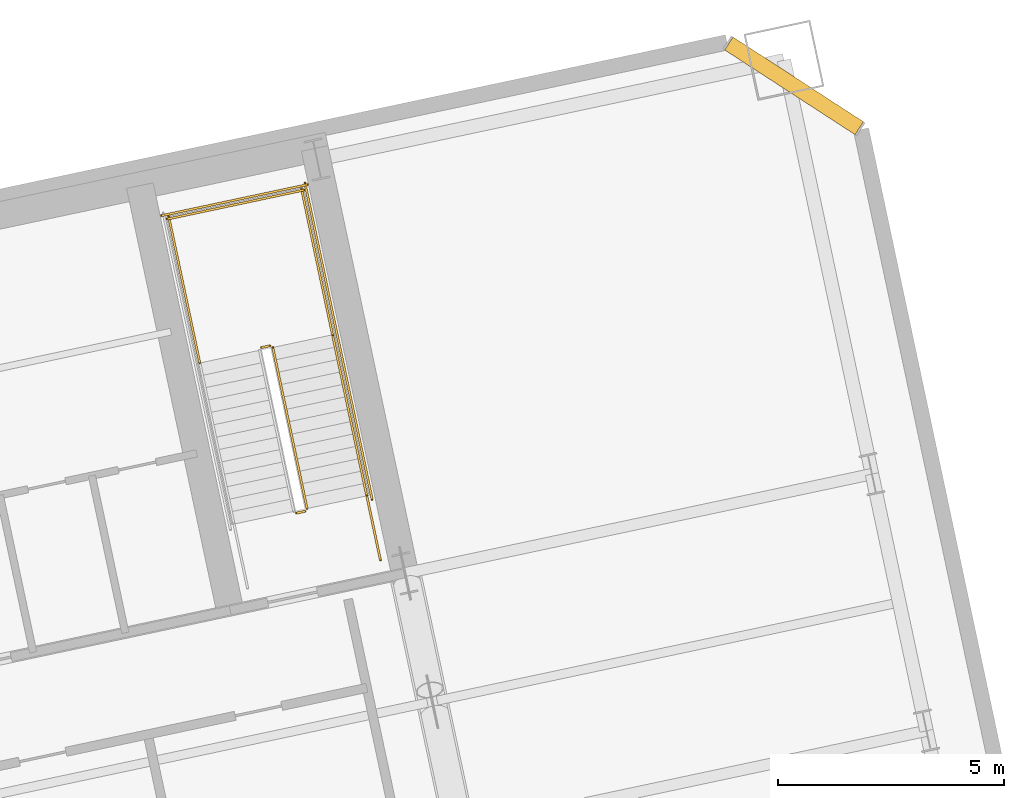
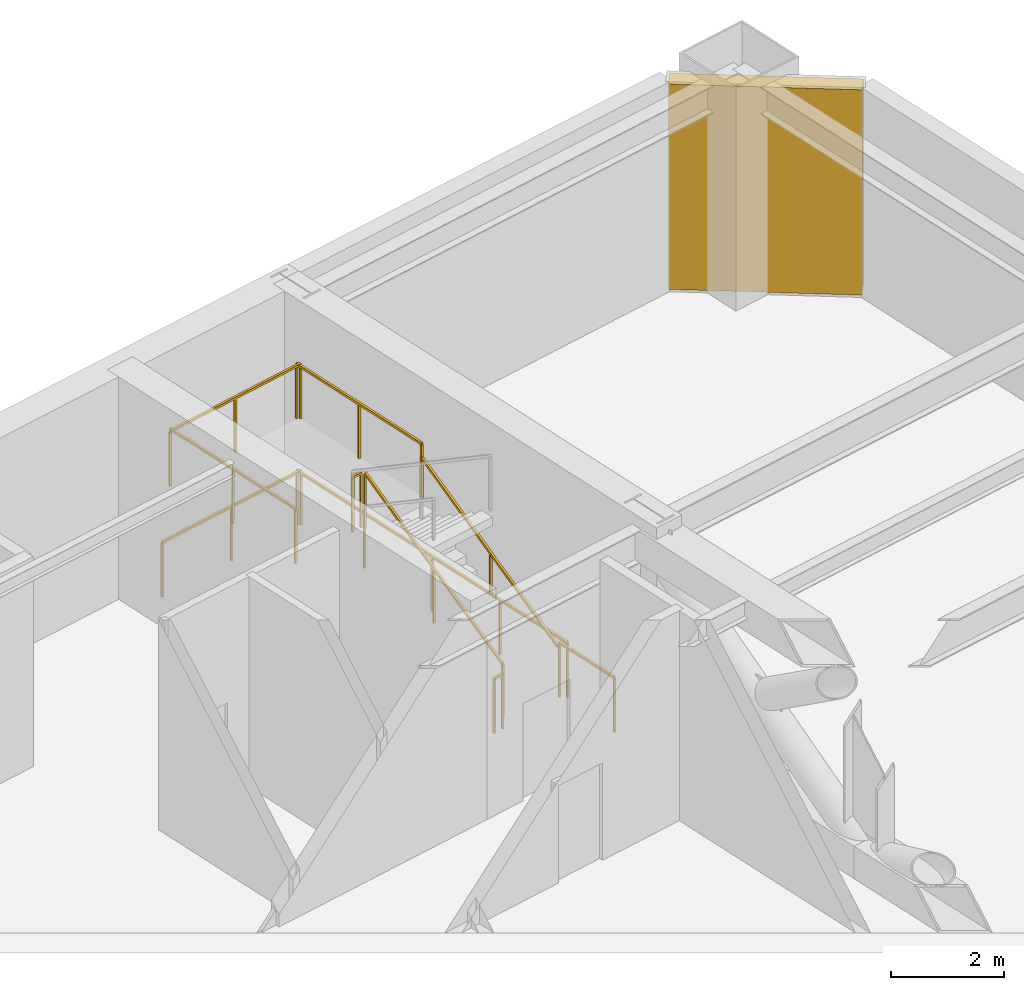
# One storey, part 17 of 17: 10 railings, 1 shading device.
"""IFC4 building model written with IfcOpenShell, lengths in metres."""

from ifc_helpers import new_model, si_unit, direction, frame, origin, origin_2d, place, context, subcontext, project, spatial, rectangle, extrude, material, layer, layer_set, type_object, element, save


model = new_model("IFC4")

# Units and contexts
model_context = context("Model", 3, precision=1e-05, world=origin(), true_north=direction((0.0, 1.0)))
body_context = subcontext(model_context, "Body", "Model", "MODEL_VIEW")
ifc_project = project(units=[si_unit("LENGTHUNIT", "METRE"), si_unit("AREAUNIT", "SQUARE_METRE"), si_unit("VOLUMEUNIT", "CUBIC_METRE"), si_unit("PLANEANGLEUNIT", "RADIAN"), si_unit("MASSUNIT", "GRAM", prefix="KILO")], contexts=[model_context])

# Site, building, storey
site_placement = place(None, origin())
site = spatial("IfcSite", under=ifc_project, at=site_placement, CompositionType="ELEMENT")
building_placement = place(site_placement, origin())
building = spatial("IfcBuilding", under=site, at=building_placement, Name="Haevon Station Towers", CompositionType="ELEMENT")
storey_placement = place(building_placement, frame((0.0, 0.0, 81.89990234375)))
storey = spatial("IfcBuildingStorey", under=building, at=storey_placement, Name="L21", CompositionType="ELEMENT", Elevation=81.89990234375)

# Railings
ifc_material_1 = material(Name="Steel S355", Category="steel")
railing_type_1 = type_object("IfcRailingType", Name="GRD-STR1200", PredefinedType="GUARDRAIL", material=ifc_material_1)
railing_1_placement = place(storey_placement, frame((117.128662109375, 43.23974609375, 0.171630859375)))
element("IfcRailing", 1, at=railing_1_placement, inside=storey, type_object=railing_type_1, Name="L21 ST4 Stair Guard 1", PredefinedType="GUARDRAIL", context=body_context, shape_type="SweptSolid", body=[
    extrude(rectangle(XDim=0.048095703125, YDim=0.048095703125, at=origin_2d()), frame((0.0, 0.0, 1.17578125), z_axis=(-0.177324344861, 0.834225240467, 0.522134393512), x_axis=(-0.978146576304, -0.207916510322, 0.0)), (0.0, 0.0, 1.0), 4.26806640625),
    extrude(rectangle(XDim=0.0419921875, YDim=0.0419921875, at=origin_2d()), origin(), (0.0, 0.0, 1.0), 1.15185546875),
    extrude(rectangle(XDim=0.0419921875, YDim=0.0419921875, at=origin_2d()), frame((-0.37841796875, 1.7802734375, 1.1142578125)), (0.0, 0.0, 1.0), 1.15185546875),
    extrude(rectangle(XDim=0.0419921875, YDim=0.0419921875, at=origin_2d()), frame((-0.7568359375, 3.560546875, 2.228515625)), (0.0, 0.0, 1.0), 1.15185546875),
])
railing_2_placement = place(storey_placement, frame((116.3125, 46.838623046875, 2.400146484375)))
element("IfcRailing", 2, at=railing_2_placement, inside=storey, type_object=railing_type_1, Name="L21 ST4 Stair Guard 2", PredefinedType="GUARDRAIL", context=body_context, shape_type="SweptSolid", body=[
    extrude(rectangle(XDim=0.048095703125, YDim=0.048095703125, at=origin_2d()), frame((0.0, 0.0, 1.17578125), z_axis=(-0.978211583308, -0.207610448392, 0.0), x_axis=(0.207610448392, -0.978211583308, 0.0)), (0.0, 0.0, 1.0), 0.199951171875),
    extrude(rectangle(XDim=0.0419921875, YDim=0.0419921875, at=origin_2d()), origin(), (0.0, 0.0, 1.0), 1.15185546875),
    extrude(rectangle(XDim=0.0419921875, YDim=0.0419921875, at=origin_2d()), frame((-0.195556640625, -0.04150390625, 0.0)), (0.0, 0.0, 1.0), 1.15185546875),
])
for number, where, name in (
    (3, (117.6923828125, 47.080810546875, 2.400146484375), "L21 ST4 Stair Guard 3"),
    (4, (114.7578125, 46.45703125, 2.400146484375), "L21 ST4 Stair Guard 4"),
):
    element("IfcRailing", number, at=place(storey_placement, frame(where)), inside=storey, type_object=railing_type_1, Name=name, PredefinedType="GUARDRAIL", context=body_context, shape_type="SweptSolid", body=[
        extrude(rectangle(XDim=0.048095703125, YDim=0.048095703125, at=origin_2d()), frame((0.0, 0.0, 1.17578125), z_axis=(-0.207916974835, 0.978146477566, 0.0), x_axis=(-0.978146477566, -0.207916974835, 0.0)), (0.0, 0.0, 1.0), 3.31005859375),
        extrude(rectangle(XDim=0.0419921875, YDim=0.0419921875, at=origin_2d()), origin(), (0.0, 0.0, 1.0), 1.15185546875),
        extrude(rectangle(XDim=0.0419921875, YDim=0.0419921875, at=origin_2d()), frame((-0.34423828125, 1.618896484375, 0.0)), (0.0, 0.0, 1.0), 1.15185546875),
        extrude(rectangle(XDim=0.0419921875, YDim=0.0419921875, at=origin_2d()), frame((-0.688232421875, 3.23779296875, 0.0)), (0.0, 0.0, 1.0), 1.15185546875),
    ])
railing_3_placement = place(storey_placement, frame((117.0634765625, 50.280029296875, 2.400146484375)))
element("IfcRailing", 5, at=railing_3_placement, inside=storey, type_object=railing_type_1, Name="L21 ST4 Stair Guard 5", PredefinedType="GUARDRAIL", context=body_context, shape_type="SweptSolid", body=[
    extrude(rectangle(XDim=0.048095703125, YDim=0.048095703125, at=origin_2d()), frame((0.0, 0.0, 1.17578125), z_axis=(-0.978146839882, -0.207915270313, 0.0), x_axis=(0.207915270313, -0.978146839882, 0.0)), (0.0, 0.0, 1.0), 3.099853515625),
    extrude(rectangle(XDim=0.0419921875, YDim=0.0419921875, at=origin_2d()), origin(), (0.0, 0.0, 1.0), 1.15185546875),
    extrude(rectangle(XDim=0.0419921875, YDim=0.0419921875, at=origin_2d()), frame((-1.51611328125, -0.322265625, 0.0)), (0.0, 0.0, 1.0), 1.15185546875),
    extrude(rectangle(XDim=0.0419921875, YDim=0.0419921875, at=origin_2d()), frame((-3.0322265625, -0.64453125, 0.0)), (0.0, 0.0, 1.0), 1.15185546875),
])
railing_4_placement = place(storey_placement, frame((117.090087890625, 43.180419921875, 0.0)))
element("IfcRailing", 6, at=railing_4_placement, inside=storey, type_object=railing_type_1, Name="L21 ST4 Stair Guard 7", PredefinedType="GUARDRAIL", context=body_context, shape_type="SweptSolid", body=[
    extrude(rectangle(XDim=0.048095703125, YDim=0.048095703125, at=origin_2d()), frame((0.0, 0.0, 1.17578125), z_axis=(-0.978211583308, -0.207610448392, 0.0), x_axis=(0.207610448392, -0.978211583308, 0.0)), (0.0, 0.0, 1.0), 0.199951171875),
    extrude(rectangle(XDim=0.0419921875, YDim=0.0419921875, at=origin_2d()), origin(), (0.0, 0.0, 1.0), 1.15185546875),
    extrude(rectangle(XDim=0.0419921875, YDim=0.0419921875, at=origin_2d()), frame((-0.195556640625, -0.04150390625, 0.0)), (0.0, 0.0, 1.0), 1.15185546875),
])
railing_5_placement = place(storey_placement, frame((118.75048828125, 42.10205078125, 0.0)))
element("IfcRailing", 7, at=railing_5_placement, inside=storey, type_object=railing_type_1, Name="L21 ST4 Stair Guard 8", PredefinedType="GUARDRAIL", context=body_context, shape_type="SweptSolid", body=[
    extrude(rectangle(XDim=0.048095703125, YDim=0.048095703125, at=origin_2d()), frame((0.0, 0.0, 1.17578125), z_axis=(-0.207919161079, 0.978146012851, 0.0), x_axis=(-0.978146012851, -0.207919161079, 0.0)), (0.0, 0.0, 1.0), 1.4501953125),
    extrude(rectangle(XDim=0.0419921875, YDim=0.0419921875, at=origin_2d()), origin(), (0.0, 0.0, 1.0), 1.15185546875),
    extrude(rectangle(XDim=0.0419921875, YDim=0.0419921875, at=origin_2d()), frame((-0.301513671875, 1.41845703125, 0.0)), (0.0, 0.0, 1.0), 1.15185546875),
])
railing_6_placement = place(storey_placement, frame((118.567626953125, 43.443359375, 0.0)))
element("IfcRailing", 8, at=railing_6_placement, inside=storey, type_object=railing_type_1, Name="L21 ST4 Stair Guard 10", PredefinedType="GUARDRAIL", context=body_context, shape_type="SweptSolid", body=[
    extrude(rectangle(XDim=0.048095703125, YDim=0.048095703125, at=origin_2d()), frame((0.0, 0.0, 1.17578125), z_axis=(-0.207908168386, 0.978148349443, 0.0), x_axis=(-0.978148349443, -0.207908168386, 0.0)), (0.0, 0.0, 1.0), 7.150146484375),
    extrude(rectangle(XDim=0.0419921875, YDim=0.0419921875, at=origin_2d()), origin(), (0.0, 0.0, 1.0), 1.15185546875),
    extrude(rectangle(XDim=0.0419921875, YDim=0.0419921875, at=origin_2d()), frame((-0.37158203125, 1.74853515625, 0.0)), (0.0, 0.0, 1.0), 1.15185546875),
    extrude(rectangle(XDim=0.0419921875, YDim=0.0419921875, at=origin_2d()), frame((-0.7431640625, 3.4970703125, 0.0)), (0.0, 0.0, 1.0), 1.15185546875),
    extrude(rectangle(XDim=0.0419921875, YDim=0.0419921875, at=origin_2d()), frame((-1.114990234375, 5.245361328125, 0.0)), (0.0, 0.0, 1.0), 1.15185546875),
    extrude(rectangle(XDim=0.0419921875, YDim=0.0419921875, at=origin_2d()), frame((-1.486572265625, 6.993896484375, 0.0)), (0.0, 0.0, 1.0), 1.15185546875),
])
railing_7_placement = place(storey_placement, frame((117.140380859375, 50.398681640625, 0.0)))
element("IfcRailing", 9, at=railing_7_placement, inside=storey, type_object=railing_type_1, Name="L21 ST4 Stair Guard 12", PredefinedType="GUARDRAIL", context=body_context, shape_type="SweptSolid", body=[
    extrude(rectangle(XDim=0.048095703125, YDim=0.048095703125, at=origin_2d()), frame((0.0, 0.0, 1.17578125), z_axis=(-0.978135717418, -0.207967589567, 0.0), x_axis=(0.207967589567, -0.978135717418, 0.0)), (0.0, 0.0, 1.0), 3.300048828125),
    extrude(rectangle(XDim=0.0419921875, YDim=0.0419921875, at=origin_2d()), origin(), (0.0, 0.0, 1.0), 1.15185546875),
    extrude(rectangle(XDim=0.0419921875, YDim=0.0419921875, at=origin_2d()), frame((-1.61376953125, -0.34326171875, 0.0)), (0.0, 0.0, 1.0), 1.15185546875),
    extrude(rectangle(XDim=0.0419921875, YDim=0.0419921875, at=origin_2d()), frame((-3.227783203125, -0.686279296875, 0.0)), (0.0, 0.0, 1.0), 1.15185546875),
])
railing_type_2 = type_object("IfcRailingType", Name="HND-STR900", PredefinedType="HANDRAIL", material=ifc_material_1)
railing_8_placement = place(storey_placement, frame((118.448974609375, 43.5205078125, 0.171630859375)))
element("IfcRailing", 10, at=railing_8_placement, inside=storey, type_object=railing_type_2, Name="L21 ST4 Stair Handrail 1", PredefinedType="HANDRAIL", context=body_context, shape_type="SweptSolid", body=[
    extrude(rectangle(XDim=0.048095703125, YDim=0.048095703125, at=origin_2d()), frame((0.0, 0.0, 0.8759765625), z_axis=(-0.17727740081, 0.834216307201, 0.522164606194), x_axis=(-0.978157316656, -0.207865975747, 0.0)), (0.0, 0.0, 1.0), 4.267822265625),
    extrude(rectangle(XDim=0.0419921875, YDim=0.0419921875, at=origin_2d()), origin(), (0.0, 0.0, 1.0), 0.851806640625),
    extrude(rectangle(XDim=0.0419921875, YDim=0.0419921875, at=origin_2d()), frame((-0.37841796875, 1.7802734375, 1.1142578125)), (0.0, 0.0, 1.0), 0.851806640625),
    extrude(rectangle(XDim=0.0419921875, YDim=0.0419921875, at=origin_2d()), frame((-0.756591796875, 3.560302734375, 2.228515625)), (0.0, 0.0, 1.0), 0.851806640625),
])

# Shading device
ifc_material_2 = material(Name="Anodised aluminium 6063-T6", Category="aluminium")
ifc_layer = layer(ifc_material_2, 0.139892578125)
ifc_layer_set = layer_set([ifc_layer], Name="Anodised aluminium 6063-T6")
shading_device_type = type_object("IfcShadingDeviceType", Name="SHD-WIND-BAFFLE", PredefinedType="SHUTTER", material=ifc_layer_set)
shading_device_placement = place(storey_placement, frame((127.8916015625, 52.58154296875, 0.05029296875), z_axis=(0.0, 0.0, 1.0), x_axis=(0.838670519647, -0.544639109388, 0.0)))
element("IfcShadingDevice", 11, at=shading_device_placement, inside=storey, type_object=shading_device_type, Name="Tower 2 L21 Wind-Corner Aerofoil Baffle NEC", PredefinedType="SHUTTER", context=body_context, shape_type="SweptSolid", body=[
    extrude(rectangle(XDim=3.435546875, YDim=0.340087890625, at=origin_2d()), origin(), (0.0, 0.0, 1.0), 4.429931640625),
])

save(model, "model.ifc")
